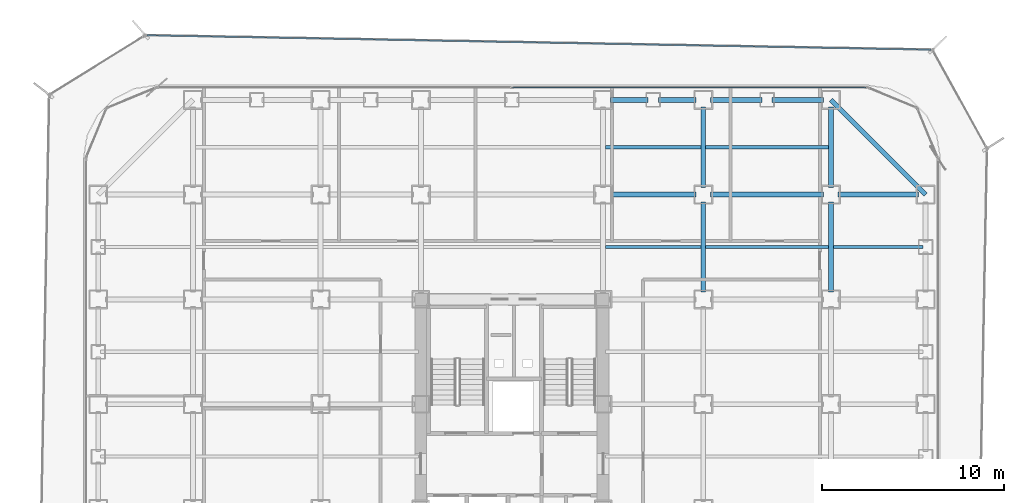
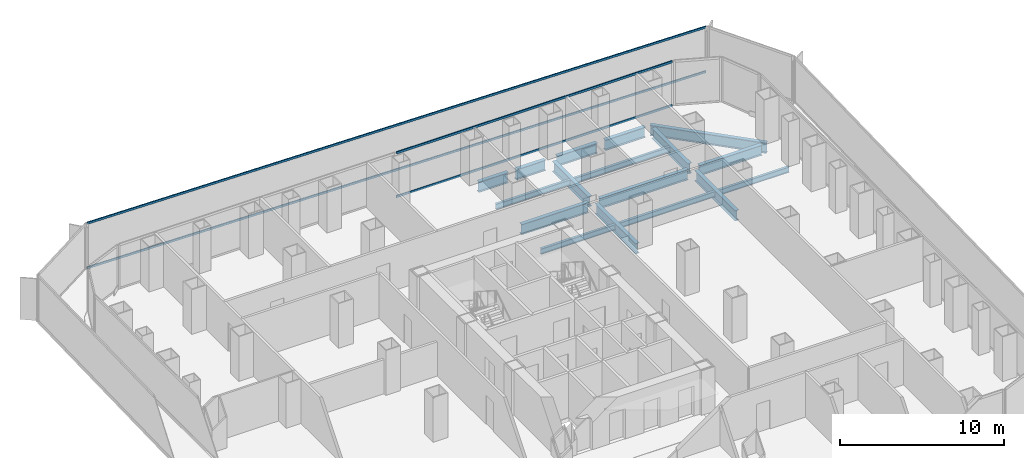
# One storey, part 14 of 22: 17 beams, 4 members, 2 elements without a shape of their own.
"""IFC4 building model written with IfcOpenShell, lengths in metres."""

from ifc_helpers import new_model, si_unit, direction, frame, origin, origin_2d, place, context, subcontext, project, spatial, hollow_rectangle, i_section, extrude, source, transform, mapped, material, layer, layer_set, material_profile, profile_set, type_object, element, aggregate, save


model = new_model("IFC4")

# Units and contexts
model_context = context("Model", 3, precision=1e-05, world=origin(), true_north=direction((0.0, 1.0)))
body_context = subcontext(model_context, "Body", "Model", "MODEL_VIEW")
ifc_project = project(units=[si_unit("LENGTHUNIT", "METRE"), si_unit("AREAUNIT", "SQUARE_METRE"), si_unit("VOLUMEUNIT", "CUBIC_METRE"), si_unit("PLANEANGLEUNIT", "RADIAN"), si_unit("MASSUNIT", "GRAM", prefix="KILO")], contexts=[model_context])

# Site, building, storey
site_placement = place(None, origin())
site = spatial("IfcSite", under=ifc_project, at=site_placement, CompositionType="ELEMENT")
building_placement = place(site_placement, origin())
building = spatial("IfcBuilding", under=site, at=building_placement, Name="Kolveth Station Tower", CompositionType="ELEMENT")
storey_placement = place(building_placement, frame((0.0, 0.0, 81.0)))
storey = spatial("IfcBuildingStorey", under=building, at=storey_placement, Name="L21", CompositionType="ELEMENT", Elevation=81.0)

# Beams
ifc_material_1 = material(Name="Steel S355", Category="steel")
ifc_material_profile_1 = material_profile(ifc_material_1, i_section(OverallWidth=0.26904296875, OverallDepth=0.77490234375, WebThickness=0.01708984375, FlangeThickness=0.0283203125, at=origin_2d()), Name="W760x220")
ifc_profile_set_1 = profile_set([ifc_material_profile_1], Name="Steel S355")
beam_type_1 = type_object("IfcBeamType", Name="Beam_SP1", PredefinedType="SPANDREL", material=ifc_profile_set_1)
shared_shape_1 = source(origin(), body_context, "Body", "SweptSolid", [
    extrude(i_section(OverallWidth=0.26904296875, OverallDepth=0.77490234375, WebThickness=0.01708984375, FlangeThickness=0.0283203125, at=origin_2d()), origin(), (0.0, 0.0, 1.0), 7.353759765625),
])
beam_1_placement = place(storey_placement, frame((46.199951171875, 34.5, -0.66748046875), z_axis=(-0.707106781187, 0.707106781187, 0.0), x_axis=(-0.707106781187, -0.707106781187, 0.0)))
element("IfcBeam", 1, at=beam_1_placement, inside=storey, type_object=beam_type_1, Name="L21 Corner Edge Girder BM-L21-CNR-NE", PredefinedType="SPANDREL", context=body_context, shape_type="MappedRepresentation", body=[
    mapped(shared_shape_1, transform((0.0, 0.0, 0.0), x_axis=(1.0, 0.0, 0.0), y_axis=(0.0, 1.0, 0.0), z_axis=(0.0, 0.0, 1.0), scale=1.0)),
])
shared_shape_2 = source(origin(), body_context, "Body", "SweptSolid", [
    extrude(i_section(OverallWidth=0.26904296875, OverallDepth=0.77490234375, WebThickness=0.01708984375, FlangeThickness=0.0283203125, at=origin_2d()), origin(), (0.0, 0.0, 1.0), 2.820068359375),
])
for number, where, z_axis, x_axis, name in (
    (2, (34.39990234375, 39.699951171875, -0.66748046875), (1.0, 0.0, 0.0), (0.0, 1.0, 0.0), "L21 Perimeter Spandrel BM-L21-PN-9"),
    (3, (37.780029296875, 39.699951171875, -0.66748046875), (1.0, 0.0, 0.0), (0.0, 1.0, 0.0), "L21 Perimeter Spandrel BM-L21-PN-10"),
):
    element("IfcBeam", number, at=place(storey_placement, frame(where, z_axis=z_axis, x_axis=x_axis)), inside=storey, type_object=beam_type_1, Name=name, PredefinedType="SPANDREL", context=body_context, shape_type="MappedRepresentation", body=[
        mapped(shared_shape_2, transform((0.0, 0.0, 0.0), x_axis=(1.0, 0.0, 0.0), y_axis=(0.0, 1.0, 0.0), z_axis=(0.0, 0.0, 1.0), scale=1.0)),
    ])
shared_shape_3 = source(origin(), body_context, "Body", "SweptSolid", [
    extrude(i_section(OverallWidth=0.26904296875, OverallDepth=0.77490234375, WebThickness=0.01708984375, FlangeThickness=0.0283203125, at=origin_2d()), origin(), (0.0, 0.0, 1.0), 2.070068359375),
])
for number, where, z_axis, x_axis, name in (
    (4, (28.89990234375, 39.699951171875, -0.66748046875), (1.0, 0.0, 0.0), (0.0, 1.0, 0.0), "L21 Perimeter Spandrel BM-L21-PN-7"),
    (5, (31.530029296875, 39.699951171875, -0.66748046875), (1.0, 0.0, 0.0), (0.0, 1.0, 0.0), "L21 Perimeter Spandrel BM-L21-PN-8"),
):
    element("IfcBeam", number, at=place(storey_placement, frame(where, z_axis=z_axis, x_axis=x_axis)), inside=storey, type_object=beam_type_1, Name=name, PredefinedType="SPANDREL", context=body_context, shape_type="MappedRepresentation", body=[
        mapped(shared_shape_3, transform((0.0, 0.0, 0.0), x_axis=(1.0, 0.0, 0.0), y_axis=(0.0, 1.0, 0.0), z_axis=(0.0, 0.0, 1.0), scale=1.0)),
    ])
ifc_material_profile_2 = material_profile(ifc_material_1, i_section(OverallWidth=0.26708984375, OverallDepth=0.76611328125, WebThickness=0.014892578125, FlangeThickness=0.023681640625, at=origin_2d()), Name="W760x185")
ifc_profile_set_2 = profile_set([ifc_material_profile_2], Name="Steel S355")
beam_type_2 = type_object("IfcBeamType", Name="Beam_B3", PredefinedType="BEAM", material=ifc_profile_set_2)
shared_shape_4 = source(origin(), body_context, "Body", "SweptSolid", [
    extrude(i_section(OverallWidth=0.26708984375, OverallDepth=0.76611328125, WebThickness=0.014892578125, FlangeThickness=0.023681640625, at=origin_2d()), origin(), (0.0, 0.0, 1.0), 4.400146484375),
])
for number, where, z_axis, x_axis, name in (
    (6, (41.39990234375, 34.5, -0.6630859375), (1.0, 0.0, 0.0), (0.0, 1.0, 0.0), "L21 Primary Girder BM-L21-GY345-7"),
    (7, (34.0, 34.89990234375, -0.6630859375), (0.0, 1.0, 0.0), (-1.0, 0.0, 0.0), "L21 Primary Girder BM-L21-GX340-7"),
    (8, (41.0, 34.89990234375, -0.6630859375), (0.0, 1.0, 0.0), (-1.0, 0.0, 0.0), "L21 Primary Girder BM-L21-GX410-7"),
):
    element("IfcBeam", number, at=place(storey_placement, frame(where, z_axis=z_axis, x_axis=x_axis)), inside=storey, type_object=beam_type_2, Name=name, PredefinedType="BEAM", context=body_context, shape_type="MappedRepresentation", body=[
        mapped(shared_shape_4, transform((0.0, 0.0, 0.0), x_axis=(1.0, 0.0, 0.0), y_axis=(0.0, 1.0, 0.0), z_axis=(0.0, 0.0, 1.0), scale=1.0)),
    ])
shared_shape_5 = source(origin(), body_context, "Body", "SweptSolid", [
    extrude(i_section(OverallWidth=0.26708984375, OverallDepth=0.76611328125, WebThickness=0.014892578125, FlangeThickness=0.023681640625, at=origin_2d()), origin(), (0.0, 0.0, 1.0), 6.2001953125),
])
beam_2_placement = place(storey_placement, frame((34.39990234375, 34.5, -0.6630859375), z_axis=(1.0, 0.0, 0.0), x_axis=(0.0, 1.0, 0.0)))
element("IfcBeam", 9, at=beam_2_placement, inside=storey, type_object=beam_type_2, Name="L21 Primary Girder BM-L21-GY345-6", PredefinedType="BEAM", context=body_context, shape_type="MappedRepresentation", body=[
    mapped(shared_shape_5, transform((0.0, 0.0, 0.0), x_axis=(1.0, 0.0, 0.0), y_axis=(0.0, 1.0, 0.0), z_axis=(0.0, 0.0, 1.0), scale=1.0)),
])
shared_shape_6 = source(origin(), body_context, "Body", "SweptSolid", [
    extrude(i_section(OverallWidth=0.26708984375, OverallDepth=0.76611328125, WebThickness=0.014892578125, FlangeThickness=0.023681640625, at=origin_2d()), origin(), (0.0, 0.0, 1.0), 4.7001953125),
])
beam_3_placement = place(storey_placement, frame((28.89990234375, 34.5, -0.6630859375), z_axis=(1.0, 0.0, 0.0), x_axis=(0.0, 1.0, 0.0)))
element("IfcBeam", 10, at=beam_3_placement, inside=storey, type_object=beam_type_2, Name="L21 Primary Girder BM-L21-GY345-5", PredefinedType="BEAM", context=body_context, shape_type="MappedRepresentation", body=[
    mapped(shared_shape_6, transform((0.0, 0.0, 0.0), x_axis=(1.0, 0.0, 0.0), y_axis=(0.0, 1.0, 0.0), z_axis=(0.0, 0.0, 1.0), scale=1.0)),
])
shared_shape_7 = source(origin(), body_context, "Body", "SweptSolid", [
    extrude(i_section(OverallWidth=0.26708984375, OverallDepth=0.76611328125, WebThickness=0.014892578125, FlangeThickness=0.023681640625, at=origin_2d()), origin(), (0.0, 0.0, 1.0), 4.9501953125),
])
for number, where, z_axis, x_axis, name in (
    (11, (34.0, 29.14990234375, -0.6630859375), (0.0, 1.0, 0.0), (-1.0, 0.0, 0.0), "L21 Primary Girder BM-L21-GX340-6"),
    (12, (41.0, 29.14990234375, -0.6630859375), (0.0, 1.0, 0.0), (-1.0, 0.0, 0.0), "L21 Primary Girder BM-L21-GX410-6"),
):
    element("IfcBeam", number, at=place(storey_placement, frame(where, z_axis=z_axis, x_axis=x_axis)), inside=storey, type_object=beam_type_2, Name=name, PredefinedType="BEAM", context=body_context, shape_type="MappedRepresentation", body=[
        mapped(shared_shape_7, transform((0.0, 0.0, 0.0), x_axis=(1.0, 0.0, 0.0), y_axis=(0.0, 1.0, 0.0), z_axis=(0.0, 0.0, 1.0), scale=1.0)),
    ])
ifc_material_profile_3 = material_profile(ifc_material_1, i_section(OverallWidth=0.177978515625, OverallDepth=0.406982421875, WebThickness=0.0078125, FlangeThickness=0.0126953125, at=origin_2d()), Name="W410x60")
ifc_profile_set_3 = profile_set([ifc_material_profile_3], Name="Steel S355")
beam_type_3 = type_object("IfcBeamType", Name="Beam_J1", PredefinedType="JOIST", material=ifc_profile_set_3)
shared_shape_8 = source(origin(), body_context, "Body", "SweptSolid", [
    extrude(i_section(OverallWidth=0.177978515625, OverallDepth=0.406982421875, WebThickness=0.0078125, FlangeThickness=0.0126953125, at=origin_2d()), origin(), (0.0, 0.0, 1.0), 4.935791015625),
])
beam_4_placement = place(storey_placement, frame((41.131591796875, 31.625, -0.4833984375), z_axis=(1.0, 0.0, 0.0), x_axis=(0.0, 1.0, 0.0)))
element("IfcBeam", 13, at=beam_4_placement, inside=storey, type_object=beam_type_3, Name="L21 Secondary Joist JST-L21-7-6", PredefinedType="JOIST", context=body_context, shape_type="MappedRepresentation", body=[
    mapped(shared_shape_8, transform((0.0, 0.0, 0.0), x_axis=(1.0, 0.0, 0.0), y_axis=(0.0, 1.0, 0.0), z_axis=(0.0, 0.0, 1.0), scale=1.0)),
])
shared_shape_9 = source(origin(), body_context, "Body", "SweptSolid", [
    extrude(i_section(OverallWidth=0.177978515625, OverallDepth=0.406982421875, WebThickness=0.0078125, FlangeThickness=0.0126953125, at=origin_2d()), origin(), (0.0, 0.0, 1.0), 6.73681640625),
])
for number, where, z_axis, x_axis, name in (
    (14, (34.131591796875, 31.625, -0.4833984375), (1.0, 0.0, 0.0), (0.0, 1.0, 0.0), "L21 Secondary Joist JST-L21-6-6"),
    (15, (34.131591796875, 37.10009765625, -0.4833984375), (1.0, 0.0, 0.0), (0.0, 1.0, 0.0), "L21 Secondary Joist JST-L21-6-7"),
):
    element("IfcBeam", number, at=place(storey_placement, frame(where, z_axis=z_axis, x_axis=x_axis)), inside=storey, type_object=beam_type_3, Name=name, PredefinedType="JOIST", context=body_context, shape_type="MappedRepresentation", body=[
        mapped(shared_shape_9, transform((0.0, 0.0, 0.0), x_axis=(1.0, 0.0, 0.0), y_axis=(0.0, 1.0, 0.0), z_axis=(0.0, 0.0, 1.0), scale=1.0)),
    ])
shared_shape_10 = source(origin(), body_context, "Body", "SweptSolid", [
    extrude(i_section(OverallWidth=0.177978515625, OverallDepth=0.406982421875, WebThickness=0.0078125, FlangeThickness=0.0126953125, at=origin_2d()), origin(), (0.0, 0.0, 1.0), 5.23681640625),
])
for number, where, z_axis, x_axis, name in (
    (16, (28.631591796875, 31.625, -0.4833984375), (1.0, 0.0, 0.0), (0.0, 1.0, 0.0), "L21 Secondary Joist JST-L21-5-6"),
    (17, (28.631591796875, 37.10009765625, -0.4833984375), (1.0, 0.0, 0.0), (0.0, 1.0, 0.0), "L21 Secondary Joist JST-L21-5-7"),
):
    element("IfcBeam", number, at=place(storey_placement, frame(where, z_axis=z_axis, x_axis=x_axis)), inside=storey, type_object=beam_type_3, Name=name, PredefinedType="JOIST", context=body_context, shape_type="MappedRepresentation", body=[
        mapped(shared_shape_10, transform((0.0, 0.0, 0.0), x_axis=(1.0, 0.0, 0.0), y_axis=(0.0, 1.0, 0.0), z_axis=(0.0, 0.0, 1.0), scale=1.0)),
    ])

# Curtain wall, members
ifc_material_2 = material(Name="Aluminium 6063-T6 and low-E dark glass", Category="aluminium")
ifc_layer_1 = layer(ifc_material_2, 0.179931640625)
ifc_layer_set_1 = layer_set([ifc_layer_1], Name="Aluminium 6063-T6 and low-E dark glass")
curtain_wall_type_1 = type_object("IfcCurtainWallType", Name="CurtainWall_CW-Z1", PredefinedType="NOTDEFINED", material=ifc_layer_set_1)
curtain_wall_1_placement = place(storey_placement, origin())
curtain_wall_1 = element("IfcCurtainWall", 18, at=curtain_wall_1_placement, inside=storey, type_object=curtain_wall_type_1, Name="L21 Inner Thermal Curtain Wall 6", PredefinedType="NOTDEFINED")
ifc_material_3 = material(Name="Black anodized aluminium 6063-T6", Category="aluminium")
ifc_material_profile_4 = material_profile(ifc_material_3, hollow_rectangle(XDim=0.074951171875, YDim=0.159912109375, WallThickness=0.0048828125, at=origin_2d()), Name="ALU-75x160x5")
ifc_profile_set_4 = profile_set([ifc_material_profile_4], Name="Black anodized aluminium 6063-T6")
member_type_1 = type_object("IfcMemberType", Name="Transom_TR1", PredefinedType="USERDEFINED", material=ifc_profile_set_4)
shared_shape_11 = source(origin(), body_context, "Body", "SweptSolid", [
    extrude(hollow_rectangle(XDim=0.074951171875, YDim=0.159912109375, WallThickness=0.0048828125, at=origin_2d()), origin(), (0.0, 0.0, 1.0), 19.387451171875),
])
member_1_placement = place(storey_placement, frame((42.925048828125, 40.3798828125, 0.03759765625), z_axis=(-1.0, 0.0, 0.0), x_axis=(0.0, -1.0, 0.0)))
member_1 = element("IfcMember", 19, at=member_1_placement, type_object=member_type_1, Name="CW-Z1 transom 1.1", ObjectType="TRANSOM", PredefinedType="USERDEFINED", context=body_context, shape_type="MappedRepresentation", body=[
    mapped(shared_shape_11, transform((0.0, 0.0, 0.0), x_axis=(1.0, 0.0, 0.0), y_axis=(0.0, 1.0, 0.0), z_axis=(0.0, 0.0, 1.0), scale=1.0)),
])
member_2_placement = place(storey_placement, frame((42.925048828125, 40.3798828125, 3.282470703125), z_axis=(-1.0, 0.0, 0.0), x_axis=(0.0, -1.0, 0.0)))
member_2 = element("IfcMember", 20, at=member_2_placement, type_object=member_type_1, Name="CW-Z1 transom 1.2", ObjectType="TRANSOM", PredefinedType="USERDEFINED", context=body_context, shape_type="MappedRepresentation", body=[
    mapped(shared_shape_11, transform((0.0, 0.0, 0.0), x_axis=(1.0, 0.0, 0.0), y_axis=(0.0, 1.0, 0.0), z_axis=(0.0, 0.0, 1.0), scale=1.0)),
])
aggregate(curtain_wall_1, [member_1, member_2])

ifc_material_4 = material(Name="Black anodized aluminium 6063-T6 and dark solar glass", Category="aluminium")
ifc_layer_2 = layer(ifc_material_4, 0.159912109375)
ifc_layer_set_2 = layer_set([ifc_layer_2], Name="Black anodized aluminium 6063-T6 and dark solar glass")
curtain_wall_type_2 = type_object("IfcCurtainWallType", Name="OUTER SKIN CW-OS", PredefinedType="NOTDEFINED", material=ifc_layer_set_2)
curtain_wall_2_placement = place(storey_placement, origin())
curtain_wall_2 = element("IfcCurtainWall", 21, at=curtain_wall_2_placement, inside=storey, type_object=curtain_wall_type_2, Name="L21 Outer Ventilated Skin Curtain Wall 4", PredefinedType="NOTDEFINED")
ifc_material_profile_5 = material_profile(ifc_material_3, hollow_rectangle(XDim=0.080078125, YDim=0.14990234375, WallThickness=0.0048828125, at=origin_2d()), Name="ALU-80x150x5")
ifc_profile_set_5 = profile_set([ifc_material_profile_5], Name="Black anodized aluminium 6063-T6")
member_type_2 = type_object("IfcMemberType", Name="Transom_TR-OS", PredefinedType="USERDEFINED", material=ifc_profile_set_5)
shared_shape_12 = source(origin(), body_context, "Body", "SweptSolid", [
    extrude(hollow_rectangle(XDim=0.080078125, YDim=0.14990234375, WallThickness=0.0048828125, at=origin_2d()), origin(), (0.0, 0.0, 1.0), 43.018310546875),
])
member_3_placement = place(storey_placement, frame((46.488037109375, 42.44921875, 0.0400390625), z_axis=(-0.999830197041, 0.018427617454, 0.0), x_axis=(-0.018427617454, -0.999830197041, 0.0)))
member_3 = element("IfcMember", 22, at=member_3_placement, type_object=member_type_2, Name="CW-OS transom 1.1", ObjectType="TRANSOM", PredefinedType="USERDEFINED", context=body_context, shape_type="MappedRepresentation", body=[
    mapped(shared_shape_12, transform((0.0, 0.0, 0.0), x_axis=(1.0, 0.0, 0.0), y_axis=(0.0, 1.0, 0.0), z_axis=(0.0, 0.0, 1.0), scale=1.0)),
])
member_4_placement = place(storey_placement, frame((46.488037109375, 42.44921875, 3.35009765625), z_axis=(-0.999830197041, 0.018427617454, 0.0), x_axis=(-0.018427617454, -0.999830197041, 0.0)))
member_4 = element("IfcMember", 23, at=member_4_placement, type_object=member_type_2, Name="CW-OS transom 1.2", ObjectType="TRANSOM", PredefinedType="USERDEFINED", context=body_context, shape_type="MappedRepresentation", body=[
    mapped(shared_shape_12, transform((0.0, 0.0, 0.0), x_axis=(1.0, 0.0, 0.0), y_axis=(0.0, 1.0, 0.0), z_axis=(0.0, 0.0, 1.0), scale=1.0)),
])
aggregate(curtain_wall_2, [member_3, member_4])

save(model, "model.ifc")
